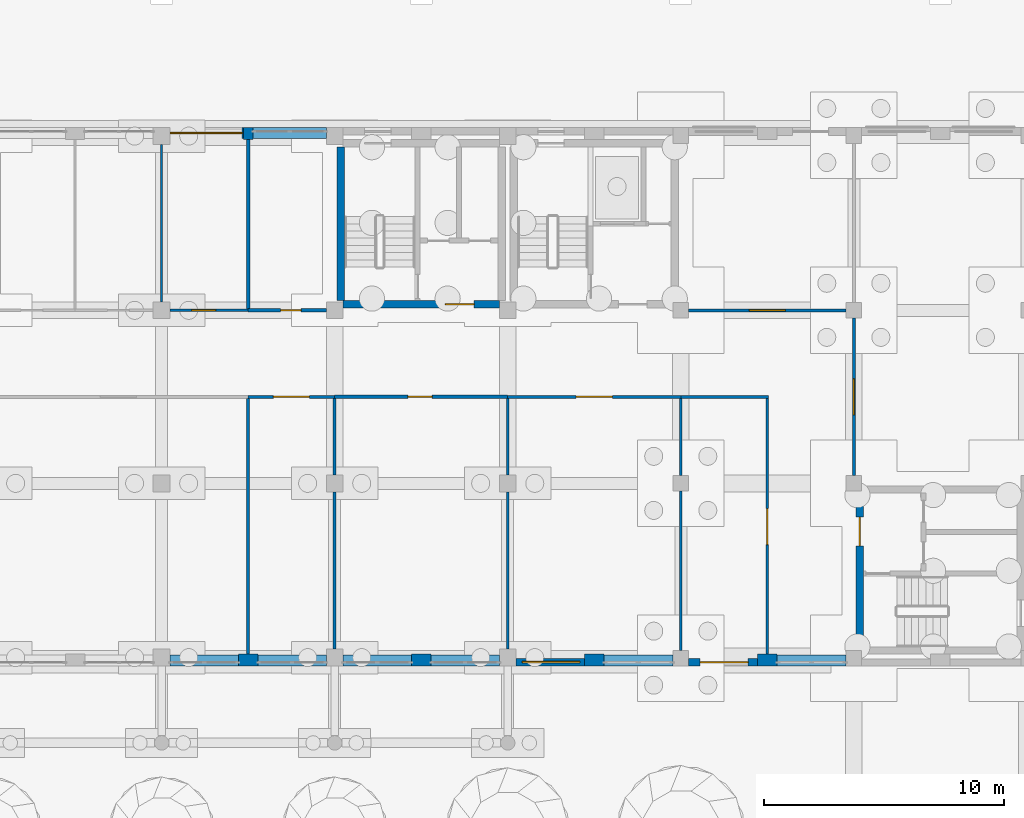
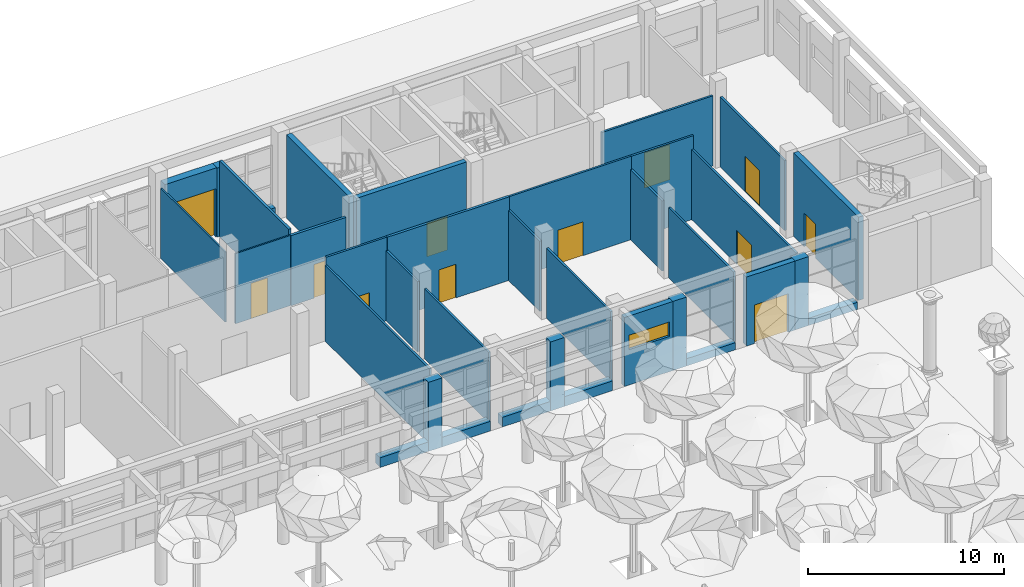
# One storey, part 51 of 80: 36 walls, 12 doors, 1 window, 13 openings.
"""IFC4 building model written with IfcOpenShell, lengths in metres."""

from ifc_helpers import new_model, si_unit, direction, frame, frame_2d, origin, place, context, subcontext, project, spatial, rectangle, extrude, material, layer, layer_set, type_object, element, fill, save


model = new_model("IFC4")

# Units and contexts
model_context = context("Model", 3, precision=1e-05, world=origin(), true_north=direction((0.0, 1.0)))
body_context = subcontext(model_context, "Body", "Model", "MODEL_VIEW")
ifc_project = project(units=[si_unit("LENGTHUNIT", "METRE"), si_unit("AREAUNIT", "SQUARE_METRE"), si_unit("VOLUMEUNIT", "CUBIC_METRE"), si_unit("PLANEANGLEUNIT", "RADIAN"), si_unit("MASSUNIT", "GRAM", prefix="KILO")], contexts=[model_context])

# Site, building, storey
site_placement = place(None, origin())
site = spatial("IfcSite", under=ifc_project, at=site_placement, CompositionType="ELEMENT")
building_placement = place(site_placement, origin())
building = spatial("IfcBuilding", under=site, at=building_placement, Name="Ussher Court Research Institute", CompositionType="ELEMENT")
storey_placement = place(building_placement, origin())
storey = spatial("IfcBuildingStorey", under=building, at=storey_placement, Name="L00", CompositionType="ELEMENT", Elevation=0.0)

# Wall, opening, door
ifc_material_1 = material(Name="Insulated sandwich wall panel")
ifc_layer_1 = layer(ifc_material_1, 0.1201171875)
ifc_layer_set_1 = layer_set([ifc_layer_1], Name="Insulated sandwich wall panel")
wall_type_1 = type_object("IfcWallType", Name="Clean-room panel 120 EI 60", PredefinedType="PARTITIONING", material=ifc_layer_set_1)
wall_1_placement = place(storey_placement, frame((75.0, 79.60009765625, 0.0), z_axis=(0.0, 0.0, 1.0), x_axis=(-1.0, 0.0, 0.0)))
wall_1 = element("IfcWall", 1, at=wall_1_placement, inside=storey, type_object=wall_type_1, Name="Fire partition", PredefinedType="PARTITIONING", context=body_context, shape_type="SweptSolid", body=[
    extrude(rectangle(XDim=3.60009765625, YDim=0.1201171875, at=frame_2d((1.800048828125, 0.0))), origin(), (0.0, 0.0, 1.0), 5.199951171875),
])
opening_1_placement = place(wall_1_placement, frame((1.050048828125, 0.0, 0.0)))
opening_1 = element("IfcOpeningElement", 2, at=opening_1_placement, cuts=wall_1, Name="Opening D00057", PredefinedType="OPENING", context=body_context, shape_type="SweptSolid", body=[
    extrude(rectangle(XDim=1.5, YDim=2.10009765625, at=frame_2d((0.75, 1.050048828125))), frame((0.0, 0.070068359375, 0.0), z_axis=(0.0, -1.0, 0.0), x_axis=(1.0, 0.0, 0.0)), (0.0, 0.0, 1.0), 0.14013671875),
])
ifc_material_2 = material(Name="Painted steel faced fire door", Category="steel")
door_type_1 = type_object("IfcDoorType", Name="Clean-room airlock door 1500x2100 FD60", OperationType="NOTDEFINED", PredefinedType="DOOR", material=ifc_material_2)
door_1_placement = place(opening_1_placement, origin())
door_1 = element("IfcDoor", 3, at=door_1_placement, inside=storey, type_object=door_type_1, Name="Door D00057", OperationType="SINGLE_SWING_LEFT", OverallHeight=2.10009765625, OverallWidth=1.5, PredefinedType="DOOR", context=body_context, shape_type="SweptSolid", body=[
    extrude(rectangle(XDim=1.5, YDim=2.10009765625, at=frame_2d((0.75, 1.050048828125))), frame((0.0, 0.02490234375, 0.0), z_axis=(0.0, -1.0, 0.0), x_axis=(1.0, 0.0, 0.0)), (0.0, 0.0, 1.0), 0.050048828125),
])
fill(opening_1, door_1)

wall_2_placement = place(storey_placement, frame((89.39990234375, 79.60009765625, 0.0), z_axis=(0.0, 0.0, 1.0), x_axis=(-1.0, 0.0, 0.0)))
wall_2 = element("IfcWall", 4, at=wall_2_placement, inside=storey, type_object=wall_type_1, Name="Fire partition", PredefinedType="PARTITIONING", context=body_context, shape_type="SweptSolid", body=[
    extrude(rectangle(XDim=7.199951171875, YDim=0.1201171875, at=frame_2d((3.60009765625, 0.0))), origin(), (0.0, 0.0, 1.0), 5.199951171875),
])
opening_2_placement = place(wall_2_placement, frame((2.85009765625, 0.0, 0.0)))
opening_2 = element("IfcOpeningElement", 5, at=opening_2_placement, cuts=wall_2, Name="Opening D00076", PredefinedType="OPENING", context=body_context, shape_type="SweptSolid", body=[
    extrude(rectangle(XDim=1.5, YDim=2.10009765625, at=frame_2d((0.75, 1.050048828125))), frame((0.0, 0.070068359375, 0.0), z_axis=(0.0, -1.0, 0.0), x_axis=(1.0, 0.0, 0.0)), (0.0, 0.0, 1.0), 0.14013671875),
])
door_2_placement = place(opening_2_placement, origin())
door_2 = element("IfcDoor", 6, at=door_2_placement, inside=storey, type_object=door_type_1, Name="Door D00076", OperationType="SINGLE_SWING_RIGHT", OverallHeight=2.10009765625, OverallWidth=1.5, PredefinedType="DOOR", context=body_context, shape_type="SweptSolid", body=[
    extrude(rectangle(XDim=1.5, YDim=2.10009765625, at=frame_2d((0.75, 1.050048828125))), frame((0.0, 0.02490234375, 0.0), z_axis=(0.0, -1.0, 0.0), x_axis=(1.0, 0.0, 0.0)), (0.0, 0.0, 1.0), 0.050048828125),
])
fill(opening_2, door_2)

# Wall
wall_3_placement = place(storey_placement, frame((89.39990234375, 79.60009765625, 0.0), z_axis=(0.0, 0.0, 1.0), x_axis=(1.0, 0.0, 0.0)))
element("IfcWall", 7, at=wall_3_placement, inside=storey, type_object=wall_type_1, Name="Fire partition", PredefinedType="PARTITIONING", context=body_context, shape_type="SweptSolid", body=[
    extrude(rectangle(XDim=3.66015625, YDim=0.1201171875, at=frame_2d((1.830078125, 0.0))), origin(), (0.0, 0.0, 1.0), 5.199951171875),
])

# Wall, opening, door
wall_4_placement = place(storey_placement, frame((89.72509765625, 83.199951171875, 0.0), z_axis=(0.0, 0.0, 1.0), x_axis=(1.0, 0.0, 0.0)))
wall_4 = element("IfcWall", 8, at=wall_4_placement, inside=storey, type_object=wall_type_1, Name="Fire partition", PredefinedType="PARTITIONING", context=body_context, shape_type="SweptSolid", body=[
    extrude(rectangle(XDim=6.5498046875, YDim=0.1201171875, at=frame_2d((3.27490234375, 0.0))), origin(), (0.0, 0.0, 1.0), 4.3701171875),
])
opening_3_placement = place(wall_4_placement, frame((2.52490234375, 0.0, 0.0)))
opening_3 = element("IfcOpeningElement", 9, at=opening_3_placement, cuts=wall_4, Name="Opening D00085", PredefinedType="OPENING", context=body_context, shape_type="SweptSolid", body=[
    extrude(rectangle(XDim=1.5, YDim=2.199951171875, at=frame_2d((0.75, 1.10009765625))), frame((0.0, 0.070068359375, 0.0), z_axis=(0.0, -1.0, 0.0), x_axis=(1.0, 0.0, 0.0)), (0.0, 0.0, 1.0), 0.14013671875),
])
ifc_material_3 = material(Name="Painted steel faced fire door", Category="steel")
door_type_2 = type_object("IfcDoorType", Name="Clean-room door 1500x2200 FD60", OperationType="NOTDEFINED", PredefinedType="DOOR", material=ifc_material_3)
door_3_placement = place(opening_3_placement, origin())
door_3 = element("IfcDoor", 10, at=door_3_placement, inside=storey, type_object=door_type_2, Name="Door D00085", OperationType="SINGLE_SWING_LEFT", OverallHeight=2.199951171875, OverallWidth=1.5, PredefinedType="DOOR", context=body_context, shape_type="SweptSolid", body=[
    extrude(rectangle(XDim=1.5, YDim=2.199951171875, at=frame_2d((0.75, 1.10009765625))), frame((0.0, 0.02490234375, 0.0), z_axis=(0.0, -1.0, 0.0), x_axis=(1.0, 0.0, 0.0)), (0.0, 0.0, 1.0), 0.050048828125),
])
fill(opening_3, door_3)

# Walls
wall_5_placement = place(storey_placement, frame((71.39990234375, 68.89990234375, 0.0), z_axis=(0.0, 0.0, 1.0), x_axis=(0.0, 1.0, 0.0)))
element("IfcWall", 11, at=wall_5_placement, inside=storey, type_object=wall_type_1, Name="Fire partition", PredefinedType="PARTITIONING", context=body_context, shape_type="SweptSolid", body=[
    extrude(rectangle(XDim=10.64013671875, YDim=0.1201171875, at=frame_2d((5.320068359375, 0.0))), origin(), (0.0, 0.0, 1.0), 4.719970703125),
])
wall_6_placement = place(storey_placement, frame((75.0, 69.10009765625, 0.0), z_axis=(0.0, 0.0, 1.0), x_axis=(0.0, 1.0, 0.0)))
element("IfcWall", 12, at=wall_6_placement, inside=storey, type_object=wall_type_1, Name="Fire partition", PredefinedType="PARTITIONING", context=body_context, shape_type="SweptSolid", body=[
    extrude(rectangle(XDim=6.5498046875, YDim=0.1201171875, at=frame_2d((3.27490234375, 0.0))), origin(), (0.0, 0.0, 1.0), 4.3701171875),
])
wall_7_placement = place(storey_placement, frame((75.0, 76.35009765625, 0.0), z_axis=(0.0, 0.0, 1.0), x_axis=(0.0, 1.0, 0.0)))
element("IfcWall", 13, at=wall_7_placement, inside=storey, type_object=wall_type_1, Name="Fire partition", PredefinedType="PARTITIONING", context=body_context, shape_type="SweptSolid", body=[
    extrude(rectangle(XDim=3.18994140625, YDim=0.1201171875, at=frame_2d((1.594970703125, 0.0))), origin(), (0.0, 0.0, 1.0), 4.3701171875),
])
wall_8_placement = place(storey_placement, frame((82.199951171875, 69.10009765625, 0.0), z_axis=(0.0, 0.0, 1.0), x_axis=(0.0, 1.0, 0.0)))
element("IfcWall", 14, at=wall_8_placement, inside=storey, type_object=wall_type_1, Name="Fire partition", PredefinedType="PARTITIONING", context=body_context, shape_type="SweptSolid", body=[
    extrude(rectangle(XDim=6.5498046875, YDim=0.1201171875, at=frame_2d((3.27490234375, 0.0))), origin(), (0.0, 0.0, 1.0), 4.3701171875),
])
wall_9_placement = place(storey_placement, frame((82.199951171875, 76.35009765625, 0.0), z_axis=(0.0, 0.0, 1.0), x_axis=(0.0, 1.0, 0.0)))
element("IfcWall", 15, at=wall_9_placement, inside=storey, type_object=wall_type_1, Name="Fire partition", PredefinedType="PARTITIONING", context=body_context, shape_type="SweptSolid", body=[
    extrude(rectangle(XDim=3.18994140625, YDim=0.1201171875, at=frame_2d((1.594970703125, 0.0))), origin(), (0.0, 0.0, 1.0), 4.3701171875),
])
wall_10_placement = place(storey_placement, frame((89.39990234375, 69.050048828125, 0.0), z_axis=(0.0, 0.0, 1.0), x_axis=(0.0, 1.0, 0.0)))
element("IfcWall", 16, at=wall_10_placement, inside=storey, type_object=wall_type_1, Name="Fire partition", PredefinedType="PARTITIONING", context=body_context, shape_type="SweptSolid", body=[
    extrude(rectangle(XDim=6.625, YDim=0.1201171875, at=frame_2d((3.3125, 0.0))), origin(), (0.0, 0.0, 1.0), 4.3701171875),
])
wall_11_placement = place(storey_placement, frame((89.39990234375, 76.324951171875, 0.0), z_axis=(0.0, 0.0, 1.0), x_axis=(0.0, 1.0, 0.0)))
element("IfcWall", 17, at=wall_11_placement, inside=storey, type_object=wall_type_1, Name="Fire partition", PredefinedType="PARTITIONING", context=body_context, shape_type="SweptSolid", body=[
    extrude(rectangle(XDim=3.215087890625, YDim=0.1201171875, at=frame_2d((1.607421875, 0.0))), origin(), (0.0, 0.0, 1.0), 4.3701171875),
])

# Wall, opening, door
wall_12_placement = place(storey_placement, frame((93.0, 68.89990234375, 0.0), z_axis=(0.0, 0.0, 1.0), x_axis=(0.0, 1.0, 0.0)))
wall_12 = element("IfcWall", 18, at=wall_12_placement, inside=storey, type_object=wall_type_1, Name="Fire partition", PredefinedType="PARTITIONING", context=body_context, shape_type="SweptSolid", body=[
    extrude(rectangle(XDim=10.64013671875, YDim=0.1201171875, at=frame_2d((5.320068359375, 0.0))), origin(), (0.0, 0.0, 1.0), 4.3701171875),
])
opening_4_placement = place(wall_12_placement, frame((4.550048828125, 0.0, 0.0)))
opening_4 = element("IfcOpeningElement", 19, at=opening_4_placement, cuts=wall_12, Name="Opening D00084", PredefinedType="OPENING", context=body_context, shape_type="SweptSolid", body=[
    extrude(rectangle(XDim=1.5, YDim=2.10009765625, at=frame_2d((0.75, 1.050048828125))), frame((0.0, 0.070068359375, 0.0), z_axis=(0.0, -1.0, 0.0), x_axis=(1.0, 0.0, 0.0)), (0.0, 0.0, 1.0), 0.14013671875),
])
door_4_placement = place(opening_4_placement, origin())
door_4 = element("IfcDoor", 20, at=door_4_placement, inside=storey, type_object=door_type_1, Name="Door D00084", OperationType="SINGLE_SWING_LEFT", OverallHeight=2.10009765625, OverallWidth=1.5, PredefinedType="DOOR", context=body_context, shape_type="SweptSolid", body=[
    extrude(rectangle(XDim=1.5, YDim=2.10009765625, at=frame_2d((0.75, 1.050048828125))), frame((0.0, 0.02490234375, 0.0), z_axis=(0.0, -1.0, 0.0), x_axis=(1.0, 0.0, 0.0)), (0.0, 0.0, 1.0), 0.050048828125),
])
fill(opening_4, door_4)

wall_13_placement = place(storey_placement, frame((96.60009765625, 82.875, 0.0), z_axis=(0.0, 0.0, 1.0), x_axis=(0.0, -1.0, 0.0)))
wall_13 = element("IfcWall", 21, at=wall_13_placement, inside=storey, type_object=wall_type_1, Name="Fire partition", PredefinedType="PARTITIONING", context=body_context, shape_type="SweptSolid", body=[
    extrude(rectangle(XDim=6.550048828125, YDim=0.1201171875, at=frame_2d((3.27490234375, 0.0))), origin(), (0.0, 0.0, 1.0), 4.3701171875),
])
opening_5_placement = place(wall_13_placement, frame((2.52490234375, 0.0, 0.0)))
opening_5 = element("IfcOpeningElement", 22, at=opening_5_placement, cuts=wall_13, Name="Opening D00091", PredefinedType="OPENING", context=body_context, shape_type="SweptSolid", body=[
    extrude(rectangle(XDim=1.5, YDim=2.199951171875, at=frame_2d((0.75, 1.10009765625))), frame((0.0, 0.070068359375, 0.0), z_axis=(0.0, -1.0, 0.0), x_axis=(1.0, 0.0, 0.0)), (0.0, 0.0, 1.0), 0.14013671875),
])
door_5_placement = place(opening_5_placement, origin())
door_5 = element("IfcDoor", 23, at=door_5_placement, inside=storey, type_object=door_type_2, Name="Door D00091", OperationType="SINGLE_SWING_RIGHT", OverallHeight=2.199951171875, OverallWidth=1.5, PredefinedType="DOOR", context=body_context, shape_type="SweptSolid", body=[
    extrude(rectangle(XDim=1.5, YDim=2.199951171875, at=frame_2d((0.75, 1.10009765625))), frame((0.0, 0.02490234375, 0.0), z_axis=(0.0, -1.0, 0.0), x_axis=(1.0, 0.0, 0.0)), (0.0, 0.0, 1.0), 0.050048828125),
])
fill(opening_5, door_5)

ifc_material_4 = material(Name="Faience facing on insulated blockwork", Category="masonry")
ifc_layer_2 = layer(ifc_material_4, 0.320068359375)
ifc_layer_set_2 = layer_set([ifc_layer_2], Name="Faience facing on insulated blockwork")
wall_type_2 = type_object("IfcWallType", Name="Clean-room wall 320 faience faced insulated panel", PredefinedType="SOLIDWALL", material=ifc_layer_set_2)
wall_14_placement = place(storey_placement, frame((92.60009765625, 68.56005859375, 0.0), z_axis=(0.0, 0.0, 1.0), x_axis=(-1.0, 0.0, 0.0)))
wall_14 = element("IfcWall", 24, at=wall_14_placement, inside=storey, type_object=wall_type_2, Name="External wall EW3 L00", PredefinedType="SOLIDWALL", context=body_context, shape_type="SweptSolid", body=[
    extrude(rectangle(XDim=2.875, YDim=0.320068359375, at=frame_2d((1.4375, 0.0))), origin(), (0.0, 0.0, 1.0), 4.300048828125),
])
opening_6_placement = place(wall_14_placement, frame((0.39990234375, 0.0, 0.0)))
opening_6 = element("IfcOpeningElement", 25, at=opening_6_placement, cuts=wall_14, Name="Opening DX11", PredefinedType="OPENING", context=body_context, shape_type="SweptSolid", body=[
    extrude(rectangle(XDim=2.0, YDim=2.39990234375, at=frame_2d((1.0, 1.199951171875))), frame((0.0, 0.169921875, 0.0), z_axis=(0.0, -1.0, 0.0), x_axis=(1.0, 0.0, 0.0)), (0.0, 0.0, 1.0), 0.340087890625),
])
ifc_material_5 = material(Name="Bronze anodised aluminium with toughened glass", Category="aluminium")
door_type_3 = type_object("IfcDoorType", Name="Clean-room block entrance double door 2000x2400", OperationType="DOUBLE_DOOR_SINGLE_SWING", PredefinedType="DOOR", material=ifc_material_5)
door_6_placement = place(opening_6_placement, origin())
door_6 = element("IfcDoor", 26, at=door_6_placement, inside=storey, type_object=door_type_3, Name="Door DX11", OperationType="SINGLE_SWING_LEFT", OverallHeight=2.39990234375, OverallWidth=2.0, PredefinedType="DOOR", context=body_context, shape_type="SweptSolid", body=[
    extrude(rectangle(XDim=2.0, YDim=2.39990234375, at=frame_2d((1.0, 1.199951171875))), frame((0.0, 0.02490234375, 0.0), z_axis=(0.0, -1.0, 0.0), x_axis=(1.0, 0.0, 0.0)), (0.0, 0.0, 1.0), 0.050048828125),
])
fill(opening_6, door_6)

# Wall, opening, window
wall_15_placement = place(storey_placement, frame((85.39990234375, 68.56005859375, 0.0), z_axis=(0.0, 0.0, 1.0), x_axis=(-1.0, 0.0, 0.0)))
wall_15 = element("IfcWall", 27, at=wall_15_placement, inside=storey, type_object=wall_type_2, Name="External wall EW3 L00", PredefinedType="SOLIDWALL", context=body_context, shape_type="SweptSolid", body=[
    extrude(rectangle(XDim=2.849853515625, YDim=0.320068359375, at=frame_2d((1.4248046875, 0.0))), origin(), (0.0, 0.0, 1.0), 4.300048828125),
])
opening_7_placement = place(wall_15_placement, frame((0.199951171875, 0.0, 2.199951171875)))
opening_7 = element("IfcOpeningElement", 28, at=opening_7_placement, cuts=wall_15, Name="Opening W11", PredefinedType="OPENING", context=body_context, shape_type="SweptSolid", body=[
    extrude(rectangle(XDim=2.39990234375, YDim=0.89990234375, at=frame_2d((1.199951171875, 0.449951171875))), frame((0.0, 0.169921875, 0.0), z_axis=(0.0, -1.0, 0.0), x_axis=(1.0, 0.0, 0.0)), (0.0, 0.0, 1.0), 0.340087890625),
])
ifc_material_6 = material(Name="Bronze anodised aluminium with double glazing", Category="aluminium")
window_type = type_object("IfcWindowType", Name="Store high-level window 2400x900", PartitioningType="TRIPLE_PANEL_HORIZONTAL", PredefinedType="WINDOW", material=ifc_material_6)
window_placement = place(opening_7_placement, origin())
window = element("IfcWindow", 29, at=window_placement, inside=storey, type_object=window_type, Name="Window W11 L00", OverallHeight=0.89990234375, OverallWidth=2.39990234375, PartitioningType="SINGLE_PANEL", PredefinedType="WINDOW", context=body_context, shape_type="SweptSolid", body=[
    extrude(rectangle(XDim=2.39990234375, YDim=0.89990234375, at=frame_2d((1.199951171875, 0.449951171875))), frame((0.0, 0.030029296875, 0.0), z_axis=(0.0, -1.0, 0.0), x_axis=(1.0, 0.0, 0.0)), (0.0, 0.0, 1.0), 0.06005859375),
])
fill(opening_7, window)

# Wall, opening, door
ifc_material_7 = material(Name="Plastered blockwork", Category="masonry")
ifc_layer_3 = layer(ifc_material_7, 0.14990234375)
ifc_layer_set_3 = layer_set([ifc_layer_3], Name="Plastered blockwork")
wall_type_3 = type_object("IfcWallType", Name="Fire partition blockwork 150 EI 60", PredefinedType="PARTITIONING", material=ifc_layer_set_3)
wall_16_placement = place(storey_placement, frame((82.199951171875, 79.60009765625, 0.0), z_axis=(0.0, 0.0, 1.0), x_axis=(-1.0, 0.0, 0.0)))
wall_16 = element("IfcWall", 30, at=wall_16_placement, inside=storey, type_object=wall_type_3, Name="Fire partition", PredefinedType="PARTITIONING", context=body_context, shape_type="SweptSolid", body=[
    extrude(rectangle(XDim=7.199951171875, YDim=0.14990234375, at=frame_2d((3.60009765625, 0.0))), origin(), (0.0, 0.0, 1.0), 5.199951171875),
])
opening_8_placement = place(wall_16_placement, frame((3.14990234375, 0.0, 0.0)))
opening_8 = element("IfcOpeningElement", 31, at=opening_8_placement, cuts=wall_16, Name="Opening D00064", PredefinedType="OPENING", context=body_context, shape_type="SweptSolid", body=[
    extrude(rectangle(XDim=1.0, YDim=2.10009765625, at=frame_2d((0.5, 1.050048828125))), frame((0.0, 0.0849609375, 0.0), z_axis=(0.0, -1.0, 0.0), x_axis=(1.0, 0.0, 0.0)), (0.0, 0.0, 1.0), 0.169921875),
])
ifc_material_8 = material(Name="Painted steel faced fire door", Category="steel")
door_type_4 = type_object("IfcDoorType", Name="Store door 1000x2100 FD60", OperationType="NOTDEFINED", PredefinedType="DOOR", material=ifc_material_8)
door_7_placement = place(opening_8_placement, origin())
door_7 = element("IfcDoor", 32, at=door_7_placement, inside=storey, type_object=door_type_4, Name="Door D00064", OperationType="SINGLE_SWING_RIGHT", OverallHeight=2.10009765625, OverallWidth=1.0, PredefinedType="DOOR", context=body_context, shape_type="SweptSolid", body=[
    extrude(rectangle(XDim=1.0, YDim=2.10009765625, at=frame_2d((0.5, 1.050048828125))), frame((0.0, 0.02490234375, 0.0), z_axis=(0.0, -1.0, 0.0), x_axis=(1.0, 0.0, 0.0)), (0.0, 0.0, 1.0), 0.050048828125),
])
fill(opening_8, door_7)

wall_17_placement = place(storey_placement, frame((71.39990234375, 83.199951171875, 0.0), z_axis=(0.0, 0.0, 1.0), x_axis=(1.0, 0.0, 0.0)))
wall_17 = element("IfcWall", 33, at=wall_17_placement, inside=storey, type_object=wall_type_3, Name="Fire partition", PredefinedType="PARTITIONING", context=body_context, shape_type="SweptSolid", body=[
    extrude(rectangle(XDim=3.25, YDim=0.14990234375, at=frame_2d((1.625, 0.0))), origin(), (0.0, 0.0, 1.0), 4.3701171875),
])
opening_9_placement = place(wall_17_placement, frame((1.35009765625, 0.0, 0.0)))
opening_9 = element("IfcOpeningElement", 34, at=opening_9_placement, cuts=wall_17, Name="Opening D00056", PredefinedType="OPENING", context=body_context, shape_type="SweptSolid", body=[
    extrude(rectangle(XDim=0.85009765625, YDim=2.10009765625, at=frame_2d((0.425048828125, 1.050048828125))), frame((0.0, 0.0849609375, 0.0), z_axis=(0.0, -1.0, 0.0), x_axis=(1.0, 0.0, 0.0)), (0.0, 0.0, 1.0), 0.169921875),
])
ifc_material_9 = material(Name="Painted steel faced fire door", Category="steel")
door_type_5 = type_object("IfcDoorType", Name="Service store door 850x2100 FD60", OperationType="NOTDEFINED", PredefinedType="DOOR", material=ifc_material_9)
door_8_placement = place(opening_9_placement, origin())
door_8 = element("IfcDoor", 35, at=door_8_placement, inside=storey, type_object=door_type_5, Name="Door D00056", OperationType="SINGLE_SWING_RIGHT", OverallHeight=2.10009765625, OverallWidth=0.85009765625, PredefinedType="DOOR", context=body_context, shape_type="SweptSolid", body=[
    extrude(rectangle(XDim=0.85009765625, YDim=2.10009765625, at=frame_2d((0.425048828125, 1.050048828125))), frame((0.0, 0.02490234375, 0.0), z_axis=(0.0, -1.0, 0.0), x_axis=(1.0, 0.0, 0.0)), (0.0, 0.0, 1.0), 0.050048828125),
])
fill(opening_9, door_8)

# Walls
wall_18_placement = place(storey_placement, frame((71.39990234375, 83.2451171875, 0.0), z_axis=(0.0, 0.0, 1.0), x_axis=(0.0, 1.0, 0.0)))
element("IfcWall", 36, at=wall_18_placement, inside=storey, type_object=wall_type_3, Name="Fire partition", PredefinedType="PARTITIONING", context=body_context, shape_type="SweptSolid", body=[
    extrude(rectangle(XDim=7.054931640625, YDim=0.14990234375, at=frame_2d((3.52734375, 0.0))), origin(), (0.0, 0.0, 1.0), 4.719970703125),
])
ifc_material_10 = material(Name="Limestone facing on blockwork", Category="masonry")
ifc_layer_4 = layer(ifc_material_10, 0.5)
ifc_layer_set_4 = layer_set([ifc_layer_4], Name="Limestone facing on blockwork")
wall_type_4 = type_object("IfcWallType", Name="Pier 400x500 entrance reveal", PredefinedType="SOLIDWALL", material=ifc_layer_set_4)
wall_19_placement = place(storey_placement, frame((71.199951171875, 90.550048828125, 0.0), z_axis=(0.0, 0.0, 1.0), x_axis=(1.0, 0.0, 0.0)))
element("IfcWall", 37, at=wall_19_placement, inside=storey, type_object=wall_type_4, Name="Pier PR3 L00", PredefinedType="SOLIDWALL", context=body_context, shape_type="SweptSolid", body=[
    extrude(rectangle(XDim=0.400146484375, YDim=0.5, at=frame_2d((0.2001953125, 0.0))), origin(), (0.0, 0.0, 1.0), 4.300048828125),
])
ifc_material_11 = material(Name="Rusticated limestone facing on blockwork", Category="masonry")
ifc_layer_5 = layer(ifc_material_11, 0.5)
ifc_layer_set_5 = layer_set([ifc_layer_5], Name="Rusticated limestone facing on blockwork")
wall_type_5 = type_object("IfcWallType", Name="Pier 800x500 rusticated limestone", PredefinedType="SOLIDWALL", material=ifc_layer_set_5)
wall_20_placement = place(storey_placement, frame((93.39990234375, 68.64990234375, 0.0), z_axis=(0.0, 0.0, 1.0), x_axis=(-1.0, 0.0, 0.0)))
element("IfcWall", 38, at=wall_20_placement, inside=storey, type_object=wall_type_5, Name="Pier PR2 L00", PredefinedType="SOLIDWALL", context=body_context, shape_type="SweptSolid", body=[
    extrude(rectangle(XDim=0.7998046875, YDim=0.5, at=frame_2d((0.39990234375, 0.0))), origin(), (0.0, 0.0, 1.0), 4.300048828125),
])
for number, where, z_axis, x_axis, name in (
    (39, (86.199951171875, 68.64990234375, 0.0), (0.0, 0.0, 1.0), (-1.0, 0.0, 0.0), "Pier PR2 L00"),
    (40, (79.0, 68.64990234375, 0.0), (0.0, 0.0, 1.0), (-1.0, 0.0, 0.0), "Pier PR2 L00"),
    (41, (71.800048828125, 68.64990234375, 0.0), (0.0, 0.0, 1.0), (-1.0, 0.0, 0.0), "Pier PR2 L00"),
):
    element("IfcWall", number, at=place(storey_placement, frame(where, z_axis=z_axis, x_axis=x_axis)), inside=storey, type_object=wall_type_5, Name=name, PredefinedType="SOLIDWALL", context=body_context, shape_type="SweptSolid", body=[
        extrude(rectangle(XDim=0.800048828125, YDim=0.5, at=frame_2d((0.39990234375, 0.0))), origin(), (0.0, 0.0, 1.0), 4.300048828125),
    ])

# Wall, opening, door
ifc_material_12 = material(Name="Rusticated limestone facing on blockwork", Category="masonry")
ifc_layer_6 = layer(ifc_material_12, 0.449951171875)
ifc_layer_set_6 = layer_set([ifc_layer_6], Name="Rusticated limestone facing on blockwork")
wall_type_6 = type_object("IfcWallType", Name="Plinth wall 450 rusticated limestone", PredefinedType="SOLIDWALL", material=ifc_layer_set_6)
wall_21_placement = place(storey_placement, frame((68.14990234375, 90.574951171875, 0.0), z_axis=(0.0, 0.0, 1.0), x_axis=(1.0, 0.0, 0.0)))
wall_21 = element("IfcWall", 42, at=wall_21_placement, inside=storey, type_object=wall_type_6, Name="External wall EW4 L00", PredefinedType="SOLIDWALL", context=body_context, shape_type="SweptSolid", body=[
    extrude(rectangle(XDim=3.050048828125, YDim=0.449951171875, at=frame_2d((1.52490234375, 0.0))), origin(), (0.0, 0.0, 1.0), 4.300048828125),
])
opening_10_placement = place(wall_21_placement, origin())
opening_10 = element("IfcOpeningElement", 43, at=opening_10_placement, cuts=wall_21, Name="Opening DX21", PredefinedType="OPENING", context=body_context, shape_type="SweptSolid", body=[
    extrude(rectangle(XDim=3.0, YDim=3.0, at=frame_2d((1.5, 1.5))), frame((0.0, 0.23486328125, 0.0), z_axis=(0.0, -1.0, 0.0), x_axis=(1.0, 0.0, 0.0)), (0.0, 0.0, 1.0), 0.469970703125),
])
ifc_material_13 = material(Name="Galvanised steel", Category="steel")
door_type_6 = type_object("IfcDoorType", Name="Loading dock door 3000x3000", OperationType="ROLLINGUP", PredefinedType="DOOR", material=ifc_material_13)
door_9_placement = place(opening_10_placement, origin())
door_9 = element("IfcDoor", 44, at=door_9_placement, inside=storey, type_object=door_type_6, Name="Door DX21", OperationType="SINGLE_SWING_LEFT", OverallHeight=3.0, OverallWidth=3.0, PredefinedType="DOOR", context=body_context, shape_type="SweptSolid", body=[
    extrude(rectangle(XDim=3.0, YDim=3.0, at=frame_2d((1.5, 1.5))), frame((0.0, 0.02490234375, 0.0), z_axis=(0.0, -1.0, 0.0), x_axis=(1.0, 0.0, 0.0)), (0.0, 0.0, 1.0), 0.050048828125),
])
fill(opening_10, door_9)

# Walls
wall_22_placement = place(storey_placement, frame((71.60009765625, 90.574951171875, 0.0), z_axis=(0.0, 0.0, 1.0), x_axis=(1.0, 0.0, 0.0)))
element("IfcWall", 45, at=wall_22_placement, inside=storey, type_object=wall_type_6, Name="Plinth wall EW4 L00", PredefinedType="SOLIDWALL", context=body_context, shape_type="SweptSolid", body=[
    extrude(rectangle(XDim=3.0498046875, YDim=0.449951171875, at=frame_2d((1.52490234375, 0.0))), origin(), (0.0, 0.0, 1.0), 0.60009765625),
])
for number, where, z_axis, x_axis, name in (
    (46, (96.27490234375, 68.625, 0.0), (0.0, 0.0, 1.0), (-1.0, 0.0, 0.0), "Plinth wall EW4 L00"),
    (47, (89.074951171875, 68.625, 0.0), (0.0, 0.0, 1.0), (-1.0, 0.0, 0.0), "Plinth wall EW4 L00"),
):
    element("IfcWall", number, at=place(storey_placement, frame(where, z_axis=z_axis, x_axis=x_axis)), inside=storey, type_object=wall_type_6, Name=name, PredefinedType="SOLIDWALL", context=body_context, shape_type="SweptSolid", body=[
        extrude(rectangle(XDim=2.875, YDim=0.449951171875, at=frame_2d((1.4375, 0.0))), origin(), (0.0, 0.0, 1.0), 0.449951171875),
    ])
wall_23_placement = place(storey_placement, frame((81.85009765625, 68.625, 0.0), z_axis=(0.0, 0.0, 1.0), x_axis=(-1.0, 0.0, 0.0)))
element("IfcWall", 48, at=wall_23_placement, inside=storey, type_object=wall_type_6, Name="Plinth wall EW4 L00", PredefinedType="SOLIDWALL", context=body_context, shape_type="SweptSolid", body=[
    extrude(rectangle(XDim=2.85009765625, YDim=0.449951171875, at=frame_2d((1.425048828125, 0.0))), origin(), (0.0, 0.0, 1.0), 0.60009765625),
])
for number, where, z_axis, x_axis, name in (
    (49, (78.199951171875, 68.625, 0.0), (0.0, 0.0, 1.0), (-1.0, 0.0, 0.0), "Plinth wall EW4 L00"),
    (50, (74.64990234375, 68.625, 0.0), (0.0, 0.0, 1.0), (-1.0, 0.0, 0.0), "Plinth wall EW4 L00"),
):
    element("IfcWall", number, at=place(storey_placement, frame(where, z_axis=z_axis, x_axis=x_axis)), inside=storey, type_object=wall_type_6, Name=name, PredefinedType="SOLIDWALL", context=body_context, shape_type="SweptSolid", body=[
        extrude(rectangle(XDim=2.849853515625, YDim=0.449951171875, at=frame_2d((1.4248046875, 0.0))), origin(), (0.0, 0.0, 1.0), 0.60009765625),
    ])
wall_24_placement = place(storey_placement, frame((71.0, 68.625, 0.0), z_axis=(0.0, 0.0, 1.0), x_axis=(-1.0, 0.0, 0.0)))
element("IfcWall", 51, at=wall_24_placement, inside=storey, type_object=wall_type_6, Name="Plinth wall EW4 L00", PredefinedType="SOLIDWALL", context=body_context, shape_type="SweptSolid", body=[
    extrude(rectangle(XDim=2.85009765625, YDim=0.449951171875, at=frame_2d((1.425048828125, 0.0))), origin(), (0.0, 0.0, 1.0), 0.60009765625),
])

# Wall, opening, door
ifc_material_14 = material(Name="Concrete C35/45", Category="concrete")
ifc_layer_7 = layer(ifc_material_14, 0.300048828125)
ifc_layer_set_7 = layer_set([ifc_layer_7], Name="Concrete C35/45")
wall_type_7 = type_object("IfcWallType", Name="RC core wall 300", PredefinedType="SHEAR", material=ifc_layer_set_7)
wall_25_placement = place(storey_placement, frame((96.85009765625, 75.675048828125, 0.0), z_axis=(0.0, 0.0, 1.0), x_axis=(0.0, -1.0, 0.0)))
wall_25 = element("IfcWall", 52, at=wall_25_placement, inside=storey, type_object=wall_type_7, Name="Core wall C2", PredefinedType="SHEAR", context=body_context, shape_type="SweptSolid", body=[
    extrude(rectangle(XDim=6.625, YDim=0.300048828125, at=frame_2d((3.3125, 0.0))), origin(), (0.0, 0.0, 1.0), 5.199951171875),
])
opening_11_placement = place(wall_25_placement, frame((1.074951171875, 0.0, 0.0)))
opening_11 = element("IfcOpeningElement", 53, at=opening_11_placement, cuts=wall_25, Name="Opening D00092", PredefinedType="OPENING", context=body_context, shape_type="SweptSolid", body=[
    extrude(rectangle(XDim=1.199951171875, YDim=2.10009765625, at=frame_2d((0.60009765625, 1.050048828125))), frame((0.0, 0.16015625, 0.0), z_axis=(0.0, -1.0, 0.0), x_axis=(1.0, 0.0, 0.0)), (0.0, 0.0, 1.0), 0.320068359375),
])
ifc_material_15 = material(Name="Painted steel faced fire door", Category="steel")
door_type_7 = type_object("IfcDoorType", Name="Fire door 1200x2100 FD60", OperationType="NOTDEFINED", PredefinedType="DOOR", material=ifc_material_15)
door_10_placement = place(opening_11_placement, origin())
door_10 = element("IfcDoor", 54, at=door_10_placement, inside=storey, type_object=door_type_7, Name="Door D00092", OperationType="SINGLE_SWING_LEFT", OverallHeight=2.10009765625, OverallWidth=1.199951171875, PredefinedType="DOOR", context=body_context, shape_type="SweptSolid", body=[
    extrude(rectangle(XDim=1.199951171875, YDim=2.10009765625, at=frame_2d((0.60009765625, 1.050048828125))), frame((0.0, 0.02490234375, 0.0), z_axis=(0.0, -1.0, 0.0), x_axis=(1.0, 0.0, 0.0)), (0.0, 0.0, 1.0), 0.050048828125),
])
fill(opening_11, door_10)

wall_26_placement = place(storey_placement, frame((75.35009765625, 83.449951171875, 0.0), z_axis=(0.0, 0.0, 1.0), x_axis=(1.0, 0.0, 0.0)))
wall_26 = element("IfcWall", 55, at=wall_26_placement, inside=storey, type_object=wall_type_7, Name="Core wall D3", PredefinedType="SHEAR", context=body_context, shape_type="SweptSolid", body=[
    extrude(rectangle(XDim=6.5, YDim=0.300048828125, at=frame_2d((3.25, 0.0))), origin(), (0.0, 0.0, 1.0), 5.199951171875),
])
opening_12_placement = place(wall_26_placement, frame((4.25, 0.0, 0.0)))
opening_12 = element("IfcOpeningElement", 56, at=opening_12_placement, cuts=wall_26, Name="Opening D00067", PredefinedType="OPENING", context=body_context, shape_type="SweptSolid", body=[
    extrude(rectangle(XDim=1.199951171875, YDim=2.10009765625, at=frame_2d((0.60009765625, 1.050048828125))), frame((0.0, 0.16015625, 0.0), z_axis=(0.0, -1.0, 0.0), x_axis=(1.0, 0.0, 0.0)), (0.0, 0.0, 1.0), 0.320068359375),
])
door_11_placement = place(opening_12_placement, origin())
door_11 = element("IfcDoor", 57, at=door_11_placement, inside=storey, type_object=door_type_7, Name="Door D00067", OperationType="SINGLE_SWING_RIGHT", OverallHeight=2.10009765625, OverallWidth=1.199951171875, PredefinedType="DOOR", context=body_context, shape_type="SweptSolid", body=[
    extrude(rectangle(XDim=1.199951171875, YDim=2.10009765625, at=frame_2d((0.60009765625, 1.050048828125))), frame((0.0, 0.02490234375, 0.0), z_axis=(0.0, -1.0, 0.0), x_axis=(1.0, 0.0, 0.0)), (0.0, 0.0, 1.0), 0.050048828125),
])
fill(opening_12, door_11)

# Wall
wall_27_placement = place(storey_placement, frame((75.25, 83.60009765625, 0.0), z_axis=(0.0, 0.0, 1.0), x_axis=(0.0, 1.0, 0.0)))
element("IfcWall", 58, at=wall_27_placement, inside=storey, type_object=wall_type_7, Name="Core wall D3", PredefinedType="SHEAR", context=body_context, shape_type="SweptSolid", body=[
    extrude(rectangle(XDim=6.39990234375, YDim=0.300048828125, at=frame_2d((3.199951171875, 0.0))), origin(), (0.0, 0.0, 1.0), 5.199951171875),
])

# Wall, opening, door
ifc_material_16 = material(Name="Moisture-resistant board on steel studs", Category="steel")
ifc_layer_8 = layer(ifc_material_16, 0.090087890625)
ifc_layer_set_8 = layer_set([ifc_layer_8], Name="Moisture-resistant board on steel studs")
wall_type_8 = type_object("IfcWallType", Name="WC lining partition 90", PredefinedType="PARTITIONING", material=ifc_layer_set_8)
wall_28_placement = place(storey_placement, frame((68.14990234375, 83.199951171875, 0.0), z_axis=(0.0, 0.0, 1.0), x_axis=(1.0, 0.0, 0.0)))
wall_28 = element("IfcWall", 59, at=wall_28_placement, inside=storey, type_object=wall_type_8, Name="Partition", PredefinedType="PARTITIONING", context=body_context, shape_type="SweptSolid", body=[
    extrude(rectangle(XDim=3.25, YDim=0.090087890625, at=frame_2d((1.625, 0.0))), origin(), (0.0, 0.0, 1.0), 4.3701171875),
])
opening_13_placement = place(wall_28_placement, frame((0.89990234375, 0.0, 0.0)))
opening_13 = element("IfcOpeningElement", 60, at=opening_13_placement, cuts=wall_28, Name="Opening D00054", PredefinedType="OPENING", context=body_context, shape_type="SweptSolid", body=[
    extrude(rectangle(XDim=1.0, YDim=2.199951171875, at=frame_2d((0.5, 1.10009765625))), frame((0.0, 0.05517578125, 0.0), z_axis=(0.0, -1.0, 0.0), x_axis=(1.0, 0.0, 0.0)), (0.0, 0.0, 1.0), 0.110107421875),
])
ifc_material_17 = material(Name="Veneered timber door", Category="wood")
door_type_8 = type_object("IfcDoorType", Name="Accessible WC door 1000x2200", OperationType="NOTDEFINED", PredefinedType="DOOR", material=ifc_material_17)
door_12_placement = place(opening_13_placement, origin())
door_12 = element("IfcDoor", 61, at=door_12_placement, inside=storey, type_object=door_type_8, Name="Door D00054", OperationType="SINGLE_SWING_LEFT", OverallHeight=2.199951171875, OverallWidth=1.0, PredefinedType="DOOR", context=body_context, shape_type="SweptSolid", body=[
    extrude(rectangle(XDim=1.0, YDim=2.199951171875, at=frame_2d((0.5, 1.10009765625))), frame((0.0, 0.02490234375, 0.0), z_axis=(0.0, -1.0, 0.0), x_axis=(1.0, 0.0, 0.0)), (0.0, 0.0, 1.0), 0.050048828125),
])
fill(opening_13, door_12)

# Wall
wall_29_placement = place(storey_placement, frame((67.800048828125, 83.550048828125, 0.0), z_axis=(0.0, 0.0, 1.0), x_axis=(0.0, 1.0, 0.0)))
element("IfcWall", 62, at=wall_29_placement, inside=storey, type_object=wall_type_8, Name="Partition", PredefinedType="PARTITIONING", context=body_context, shape_type="SweptSolid", body=[
    extrude(rectangle(XDim=6.550048828125, YDim=0.090087890625, at=frame_2d((3.27490234375, 0.0))), origin(), (0.0, 0.0, 1.0), 4.3701171875),
])

save(model, "model.ifc")
